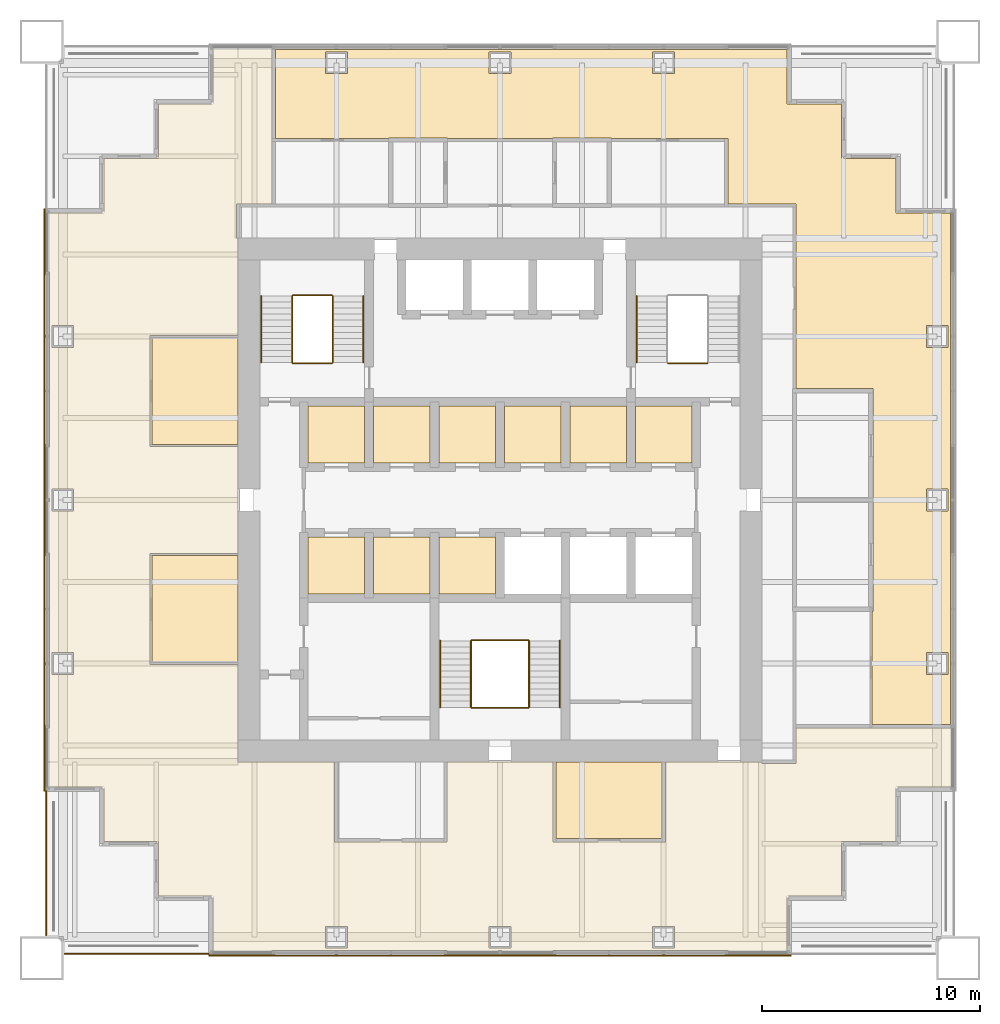
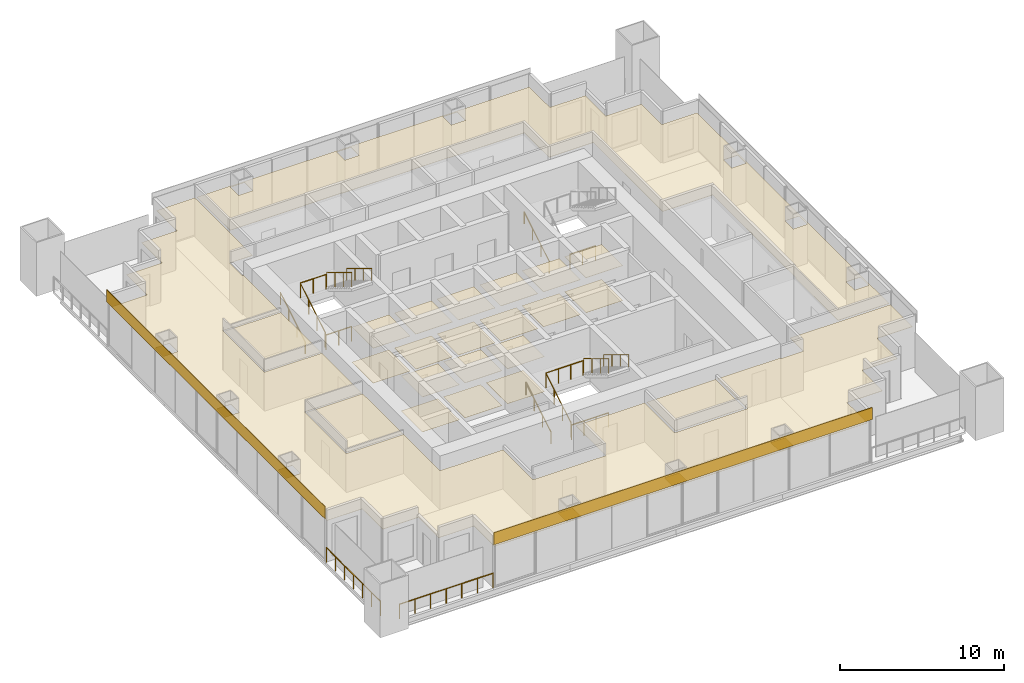
# One storey, part 13 of 14: 25 coverings, 16 railings.
"""IFC4 building model written with IfcOpenShell, lengths in metres."""

from ifc_helpers import new_model, si_unit, direction, frame, origin, origin_2d, place, context, subcontext, project, spatial, polyline, rectangle, circle, outline, extrude, material, layer, layer_set, type_object, element, save


model = new_model("IFC4")

# Units and contexts
model_context = context("Model", 3, precision=1e-05, world=origin(), true_north=direction((0.0, 1.0)))
body_context = subcontext(model_context, "Body", "Model", "MODEL_VIEW")
ifc_project = project(units=[si_unit("LENGTHUNIT", "METRE"), si_unit("AREAUNIT", "SQUARE_METRE"), si_unit("VOLUMEUNIT", "CUBIC_METRE"), si_unit("PLANEANGLEUNIT", "RADIAN"), si_unit("MASSUNIT", "GRAM", prefix="KILO")], contexts=[model_context])

# Site, building, storey
site_placement = place(None, origin())
site = spatial("IfcSite", under=ifc_project, at=site_placement, CompositionType="ELEMENT")
building_placement = place(site_placement, origin())
building = spatial("IfcBuilding", under=site, at=building_placement, Name="Tarangal Relay Tower", CompositionType="ELEMENT")
storey_placement = place(building_placement, frame((0.0, 0.0, 319.89990234375)))
storey = spatial("IfcBuildingStorey", under=building, at=storey_placement, Name="L71", CompositionType="ELEMENT", Elevation=319.89990234375)

# Coverings
ifc_material_1 = material(Name="Anti-static vinyl flooring", Category="plastic")
ifc_layer_1 = layer(ifc_material_1, 0.010009765625)
ifc_layer_set_1 = layer_set([ifc_layer_1], Name="Anti-static vinyl floor")
covering_type_1 = type_object("IfcCoveringType", Name="Anti-static vinyl floor", PredefinedType="FLOORING", material=ifc_layer_set_1)
covering_1_placement = place(storey_placement, origin())
element("IfcCovering", 1, at=covering_1_placement, inside=storey, type_object=covering_type_1, Name="Floor finish FL1 L71-D1", PredefinedType="FLOORING", context=body_context, shape_type="SweptSolid", body=[
    extrude(outline(polyline([(-8.800048828125, 1.699951171875), (-6.199951171875, 1.699951171875), (-6.199951171875, 4.300048828125), (-8.800048828125, 4.300048828125), (-8.800048828125, 1.699951171875)])), origin(), (0.0, 0.0, 1.0), 0.010009765625),
])
covering_2_placement = place(storey_placement, origin())
element("IfcCovering", 2, at=covering_2_placement, inside=storey, type_object=covering_type_1, Name="Floor finish FL1 L71-D2", PredefinedType="FLOORING", context=body_context, shape_type="SweptSolid", body=[
    extrude(outline(polyline([(-5.800048828125, 1.699951171875), (-3.199951171875, 1.699951171875), (-3.199951171875, 4.300048828125), (-5.800048828125, 4.300048828125), (-5.800048828125, 1.699951171875)])), origin(), (0.0, 0.0, 1.0), 0.010009765625),
])
covering_3_placement = place(storey_placement, origin())
element("IfcCovering", 3, at=covering_3_placement, inside=storey, type_object=covering_type_1, Name="Floor finish FL1 L71-D3", PredefinedType="FLOORING", context=body_context, shape_type="SweptSolid", body=[
    extrude(outline(polyline([(-2.800048828125, 1.699951171875), (-0.199951171875, 1.699951171875), (-0.199951171875, 4.300048828125), (-2.800048828125, 4.300048828125), (-2.800048828125, 1.699951171875)])), origin(), (0.0, 0.0, 1.0), 0.010009765625),
])
covering_4_placement = place(storey_placement, origin())
element("IfcCovering", 4, at=covering_4_placement, inside=storey, type_object=covering_type_1, Name="Floor finish FL1 L71-T1", PredefinedType="FLOORING", context=body_context, shape_type="SweptSolid", body=[
    extrude(outline(polyline([(0.199951171875, 1.699951171875), (2.800048828125, 1.699951171875), (2.800048828125, 4.300048828125), (0.199951171875, 4.300048828125), (0.199951171875, 1.699951171875)])), origin(), (0.0, 0.0, 1.0), 0.010009765625),
])
covering_5_placement = place(storey_placement, origin())
element("IfcCovering", 5, at=covering_5_placement, inside=storey, type_object=covering_type_1, Name="Floor finish FL1 L71-T2", PredefinedType="FLOORING", context=body_context, shape_type="SweptSolid", body=[
    extrude(outline(polyline([(3.199951171875, 1.699951171875), (5.800048828125, 1.699951171875), (5.800048828125, 4.300048828125), (3.199951171875, 4.300048828125), (3.199951171875, 1.699951171875)])), origin(), (0.0, 0.0, 1.0), 0.010009765625),
])
covering_6_placement = place(storey_placement, origin())
element("IfcCovering", 6, at=covering_6_placement, inside=storey, type_object=covering_type_1, Name="Floor finish FL1 L71-T3", PredefinedType="FLOORING", context=body_context, shape_type="SweptSolid", body=[
    extrude(outline(polyline([(6.199951171875, 1.699951171875), (8.800048828125, 1.699951171875), (8.800048828125, 4.300048828125), (6.199951171875, 4.300048828125), (6.199951171875, 1.699951171875)])), origin(), (0.0, 0.0, 1.0), 0.010009765625),
])
covering_7_placement = place(storey_placement, origin())
element("IfcCovering", 7, at=covering_7_placement, inside=storey, type_object=covering_type_1, Name="Floor finish FL1 L71-S1", PredefinedType="FLOORING", context=body_context, shape_type="SweptSolid", body=[
    extrude(outline(polyline([(-8.800048828125, -4.300048828125), (-6.199951171875, -4.300048828125), (-6.199951171875, -1.699951171875), (-8.800048828125, -1.699951171875), (-8.800048828125, -4.300048828125)])), origin(), (0.0, 0.0, 1.0), 0.010009765625),
])
covering_8_placement = place(storey_placement, origin())
element("IfcCovering", 8, at=covering_8_placement, inside=storey, type_object=covering_type_1, Name="Floor finish FL1 L71-S2", PredefinedType="FLOORING", context=body_context, shape_type="SweptSolid", body=[
    extrude(outline(polyline([(-5.800048828125, -4.300048828125), (-3.199951171875, -4.300048828125), (-3.199951171875, -1.699951171875), (-5.800048828125, -1.699951171875), (-5.800048828125, -4.300048828125)])), origin(), (0.0, 0.0, 1.0), 0.010009765625),
])
covering_9_placement = place(storey_placement, origin())
element("IfcCovering", 9, at=covering_9_placement, inside=storey, type_object=covering_type_1, Name="Floor finish FL1 L71-S3", PredefinedType="FLOORING", context=body_context, shape_type="SweptSolid", body=[
    extrude(outline(polyline([(-2.800048828125, -4.300048828125), (-0.199951171875, -4.300048828125), (-0.199951171875, -1.699951171875), (-2.800048828125, -1.699951171875), (-2.800048828125, -4.300048828125)])), origin(), (0.0, 0.0, 1.0), 0.010009765625),
])
ifc_material_2 = material(Name="Black anodised aluminium cladding", Category="aluminium")
ifc_layer_2 = layer(ifc_material_2, 0.050048828125)
ifc_layer_set_2 = layer_set([ifc_layer_2], Name="Black metal spandrel band")
covering_type_2 = type_object("IfcCoveringType", Name="Black metal spandrel band", PredefinedType="CLADDING", material=ifc_layer_set_2)
for number, where, z_axis, x_axis, name in (
    (10, (0.0, -20.875, 3.250244140625), (0.0, 0.0, 1.0), (-1.0, 0.0, 0.0), "Spandrel band SB1 S L71"),
    (11, (-20.875, 0.0, 3.250244140625), (0.0, 0.0, 1.0), (0.0, 1.0, 0.0), "Spandrel band SB1 W L71"),
):
    element("IfcCovering", number, at=place(storey_placement, frame(where, z_axis=z_axis, x_axis=x_axis)), inside=storey, type_object=covering_type_2, Name=name, PredefinedType="CLADDING", context=body_context, shape_type="SweptSolid", body=[
        extrude(rectangle(XDim=26.699951171875, YDim=0.050048828125, at=origin_2d()), origin(), (0.0, 0.0, 1.0), 0.89990234375),
    ])

# Railings
ifc_material_3 = material(Name="Steel guard, black finish", Category="steel")
railing_type_1 = type_object("IfcRailingType", Name="Stair guard 1100", PredefinedType="GUARDRAIL", material=ifc_material_3)
railing_1_placement = place(storey_placement, frame((-9.530029296875, 6.300048828125, 0.166748046875)))
element("IfcRailing", 12, at=railing_1_placement, inside=storey, type_object=railing_type_1, Name="Stair ST-A guard GR1 L71 flight 1", PredefinedType="GUARDRAIL", context=body_context, shape_type="SweptSolid", body=[
    extrude(circle(Radius=0.02392578125, at=origin_2d()), frame((0.0, 0.0, 1.076171875), z_axis=(0.0, 0.85685617095, 0.515555527858), x_axis=(-1.0, 0.0, 0.0)), (0.0, 0.0, 1.0), 3.555908203125),
    extrude(circle(Radius=0.02099609375, at=origin_2d()), origin(), (0.0, 0.0, 1.0), 1.052001953125),
    extrude(circle(Radius=0.02099609375, at=origin_2d()), frame((0.0, 1.015625, 0.611083984375)), (0.0, 0.0, 1.0), 1.052001953125),
    extrude(circle(Radius=0.02099609375, at=origin_2d()), frame((0.0, 2.03125, 1.22216796875)), (0.0, 0.0, 1.0), 1.052001953125),
    extrude(circle(Radius=0.02099609375, at=origin_2d()), frame((0.0, 3.046875, 1.833251953125)), (0.0, 0.0, 1.0), 1.052001953125),
])
railing_2_placement = place(storey_placement, frame((-7.669921875, 9.346923828125, 2.166748046875)))
element("IfcRailing", 13, at=railing_2_placement, inside=storey, type_object=railing_type_1, Name="Stair ST-A guard GR1 L71 flight 2", PredefinedType="GUARDRAIL", context=body_context, shape_type="SweptSolid", body=[
    extrude(circle(Radius=0.02392578125, at=origin_2d()), frame((0.0, 0.0, 1.076171875), z_axis=(0.0, -0.85685617095, 0.515555527858), x_axis=(1.0, 0.0, 0.0)), (0.0, 0.0, 1.0), 3.555908203125),
    extrude(circle(Radius=0.02099609375, at=origin_2d()), origin(), (0.0, 0.0, 1.0), 1.052001953125),
    extrude(circle(Radius=0.02099609375, at=origin_2d()), frame((0.0, -1.015625, 0.611083984375)), (0.0, 0.0, 1.0), 1.052001953125),
    extrude(circle(Radius=0.02099609375, at=origin_2d()), frame((0.0, -2.03125, 1.22216796875)), (0.0, 0.0, 1.0), 1.052001953125),
    extrude(circle(Radius=0.02099609375, at=origin_2d()), frame((0.0, -3.046875, 1.833251953125)), (0.0, 0.0, 1.0), 1.052001953125),
])
for number, where, name in (
    (14, (-9.5, 6.27001953125, 0.0), "Stair ST-A landing guard GR1 L71"),
    (15, (-9.5, 9.376953125, 2.0), "Stair ST-A landing guard GR1 L71"),
    (16, (7.699951171875, 6.27001953125, 0.0), "Stair ST-B landing guard GR1 L71"),
):
    element("IfcRailing", number, at=place(storey_placement, frame(where)), inside=storey, type_object=railing_type_1, Name=name, PredefinedType="GUARDRAIL", context=body_context, shape_type="SweptSolid", body=[
        extrude(circle(Radius=0.02392578125, at=origin_2d()), frame((0.0, 0.0, 1.076171875), z_axis=(1.0, 0.0, 0.0), x_axis=(0.0, 1.0, 0.0)), (0.0, 0.0, 1.0), 1.800048828125),
        extrude(circle(Radius=0.02099609375, at=origin_2d()), origin(), (0.0, 0.0, 1.0), 1.052001953125),
        extrude(circle(Radius=0.02099609375, at=origin_2d()), frame((0.89990234375, 0.0, 0.0)), (0.0, 0.0, 1.0), 1.052001953125),
        extrude(circle(Radius=0.02099609375, at=origin_2d()), frame((1.800048828125, 0.0, 0.0)), (0.0, 0.0, 1.0), 1.052001953125),
    ])
railing_3_placement = place(storey_placement, frame((-1.330078125, -9.5, 0.166748046875)))
element("IfcRailing", 17, at=railing_3_placement, inside=storey, type_object=railing_type_1, Name="Stair ST-C guard GR1 L71 flight 1", PredefinedType="GUARDRAIL", context=body_context, shape_type="SweptSolid", body=[
    extrude(circle(Radius=0.02392578125, at=origin_2d()), frame((0.0, 0.0, 1.076171875), z_axis=(0.0, 0.856874418557, 0.515525199018), x_axis=(-1.0, 0.0, 0.0)), (0.0, 0.0, 1.0), 3.55615234375),
    extrude(circle(Radius=0.02099609375, at=origin_2d()), origin(), (0.0, 0.0, 1.0), 1.052001953125),
    extrude(circle(Radius=0.02099609375, at=origin_2d()), frame((0.0, 1.015625, 0.611083984375)), (0.0, 0.0, 1.0), 1.052001953125),
    extrude(circle(Radius=0.02099609375, at=origin_2d()), frame((0.0, 2.031494140625, 1.22216796875)), (0.0, 0.0, 1.0), 1.052001953125),
    extrude(circle(Radius=0.02099609375, at=origin_2d()), frame((0.0, 3.047119140625, 1.833251953125)), (0.0, 0.0, 1.0), 1.052001953125),
])
railing_4_placement = place(storey_placement, frame((1.330078125, -6.452880859375, 2.166748046875)))
element("IfcRailing", 18, at=railing_4_placement, inside=storey, type_object=railing_type_1, Name="Stair ST-C guard GR1 L71 flight 2", PredefinedType="GUARDRAIL", context=body_context, shape_type="SweptSolid", body=[
    extrude(circle(Radius=0.02392578125, at=origin_2d()), frame((0.0, 0.0, 1.076171875), z_axis=(0.0, -0.856874418557, 0.515525199018), x_axis=(1.0, 0.0, 0.0)), (0.0, 0.0, 1.0), 3.55615234375),
    extrude(circle(Radius=0.02099609375, at=origin_2d()), origin(), (0.0, 0.0, 1.0), 1.052001953125),
    extrude(circle(Radius=0.02099609375, at=origin_2d()), frame((0.0, -1.015625, 0.611083984375)), (0.0, 0.0, 1.0), 1.052001953125),
    extrude(circle(Radius=0.02099609375, at=origin_2d()), frame((0.0, -2.031494140625, 1.22216796875)), (0.0, 0.0, 1.0), 1.052001953125),
    extrude(circle(Radius=0.02099609375, at=origin_2d()), frame((0.0, -3.047119140625, 1.833251953125)), (0.0, 0.0, 1.0), 1.052001953125),
])
for number, where, name in (
    (19, (-1.300048828125, -9.530029296875, 0.0), "Stair ST-C landing guard GR1 L71"),
    (20, (-1.300048828125, -6.423095703125, 2.0), "Stair ST-C landing guard GR1 L71"),
):
    element("IfcRailing", number, at=place(storey_placement, frame(where)), inside=storey, type_object=railing_type_1, Name=name, PredefinedType="GUARDRAIL", context=body_context, shape_type="SweptSolid", body=[
        extrude(circle(Radius=0.02392578125, at=origin_2d()), frame((0.0, 0.0, 1.076171875), z_axis=(1.0, 0.0, 0.0), x_axis=(0.0, 1.0, 0.0)), (0.0, 0.0, 1.0), 2.60009765625),
        extrude(circle(Radius=0.02099609375, at=origin_2d()), origin(), (0.0, 0.0, 1.0), 1.052001953125),
        extrude(circle(Radius=0.02099609375, at=origin_2d()), frame((0.86669921875, 0.0, 0.0)), (0.0, 0.0, 1.0), 1.052001953125),
        extrude(circle(Radius=0.02099609375, at=origin_2d()), frame((1.7333984375, 0.0, 0.0)), (0.0, 0.0, 1.0), 1.052001953125),
        extrude(circle(Radius=0.02099609375, at=origin_2d()), frame((2.60009765625, 0.0, 0.0)), (0.0, 0.0, 1.0), 1.052001953125),
    ])
ifc_material_4 = material(Name="Steel handrail, black finish", Category="steel")
railing_type_2 = type_object("IfcRailingType", Name="Stair handrail 900", PredefinedType="HANDRAIL", material=ifc_material_4)
railing_5_placement = place(storey_placement, frame((-10.93994140625, 6.300048828125, 0.166748046875)))
element("IfcRailing", 21, at=railing_5_placement, inside=storey, type_object=railing_type_2, Name="Stair ST-A handrail HR1 L71 flight 1", PredefinedType="HANDRAIL", context=body_context, shape_type="SweptSolid", body=[
    extrude(circle(Radius=0.02392578125, at=origin_2d()), frame((0.0, 0.0, 0.8759765625), z_axis=(0.0, 0.85685617095, 0.515555527858), x_axis=(-1.0, 0.0, 0.0)), (0.0, 0.0, 1.0), 3.555908203125),
    extrude(circle(Radius=0.02099609375, at=origin_2d()), origin(), (0.0, 0.0, 1.0), 0.851806640625),
    extrude(circle(Radius=0.02099609375, at=origin_2d()), frame((0.0, 1.015625, 0.611083984375)), (0.0, 0.0, 1.0), 0.851806640625),
    extrude(circle(Radius=0.02099609375, at=origin_2d()), frame((0.0, 2.03125, 1.22216796875)), (0.0, 0.0, 1.0), 0.851806640625),
    extrude(circle(Radius=0.02099609375, at=origin_2d()), frame((0.0, 3.046875, 1.833251953125)), (0.0, 0.0, 1.0), 0.851806640625),
])
railing_6_placement = place(storey_placement, frame((-6.260009765625, 9.346923828125, 2.166748046875)))
element("IfcRailing", 22, at=railing_6_placement, inside=storey, type_object=railing_type_2, Name="Stair ST-A handrail HR1 L71 flight 2", PredefinedType="HANDRAIL", context=body_context, shape_type="SweptSolid", body=[
    extrude(circle(Radius=0.02392578125, at=origin_2d()), frame((0.0, 0.0, 0.8759765625), z_axis=(0.0, -0.85685617095, 0.515555527858), x_axis=(1.0, 0.0, 0.0)), (0.0, 0.0, 1.0), 3.555908203125),
    extrude(circle(Radius=0.02099609375, at=origin_2d()), origin(), (0.0, 0.0, 1.0), 0.851806640625),
    extrude(circle(Radius=0.02099609375, at=origin_2d()), frame((0.0, -1.015625, 0.611083984375)), (0.0, 0.0, 1.0), 0.851806640625),
    extrude(circle(Radius=0.02099609375, at=origin_2d()), frame((0.0, -2.03125, 1.22216796875)), (0.0, 0.0, 1.0), 0.851806640625),
    extrude(circle(Radius=0.02099609375, at=origin_2d()), frame((0.0, -3.046875, 1.833251953125)), (0.0, 0.0, 1.0), 0.851806640625),
])
railing_7_placement = place(storey_placement, frame((6.260009765625, 6.300048828125, 0.166748046875)))
element("IfcRailing", 23, at=railing_7_placement, inside=storey, type_object=railing_type_2, Name="Stair ST-B handrail HR1 L71 flight 1", PredefinedType="HANDRAIL", context=body_context, shape_type="SweptSolid", body=[
    extrude(circle(Radius=0.02392578125, at=origin_2d()), frame((0.0, 0.0, 0.8759765625), z_axis=(0.0, 0.85685617095, 0.515555527858), x_axis=(-1.0, 0.0, 0.0)), (0.0, 0.0, 1.0), 3.555908203125),
    extrude(circle(Radius=0.02099609375, at=origin_2d()), origin(), (0.0, 0.0, 1.0), 0.851806640625),
    extrude(circle(Radius=0.02099609375, at=origin_2d()), frame((0.0, 1.015625, 0.611083984375)), (0.0, 0.0, 1.0), 0.851806640625),
    extrude(circle(Radius=0.02099609375, at=origin_2d()), frame((0.0, 2.03125, 1.22216796875)), (0.0, 0.0, 1.0), 0.851806640625),
    extrude(circle(Radius=0.02099609375, at=origin_2d()), frame((0.0, 3.046875, 1.833251953125)), (0.0, 0.0, 1.0), 0.851806640625),
])
railing_8_placement = place(storey_placement, frame((-2.739990234375, -9.5, 0.166748046875)))
element("IfcRailing", 24, at=railing_8_placement, inside=storey, type_object=railing_type_2, Name="Stair ST-C handrail HR1 L71 flight 1", PredefinedType="HANDRAIL", context=body_context, shape_type="SweptSolid", body=[
    extrude(circle(Radius=0.02392578125, at=origin_2d()), frame((0.0, 0.0, 0.8759765625), z_axis=(0.0, 0.856874418557, 0.515525199018), x_axis=(-1.0, 0.0, 0.0)), (0.0, 0.0, 1.0), 3.55615234375),
    extrude(circle(Radius=0.02099609375, at=origin_2d()), origin(), (0.0, 0.0, 1.0), 0.851806640625),
    extrude(circle(Radius=0.02099609375, at=origin_2d()), frame((0.0, 1.015625, 0.611083984375)), (0.0, 0.0, 1.0), 0.851806640625),
    extrude(circle(Radius=0.02099609375, at=origin_2d()), frame((0.0, 2.031494140625, 1.22216796875)), (0.0, 0.0, 1.0), 0.851806640625),
    extrude(circle(Radius=0.02099609375, at=origin_2d()), frame((0.0, 3.047119140625, 1.833251953125)), (0.0, 0.0, 1.0), 0.851806640625),
])
railing_9_placement = place(storey_placement, frame((2.739990234375, -6.452880859375, 2.166748046875)))
element("IfcRailing", 25, at=railing_9_placement, inside=storey, type_object=railing_type_2, Name="Stair ST-C handrail HR1 L71 flight 2", PredefinedType="HANDRAIL", context=body_context, shape_type="SweptSolid", body=[
    extrude(circle(Radius=0.02392578125, at=origin_2d()), frame((0.0, 0.0, 0.8759765625), z_axis=(0.0, -0.856874418557, 0.515525199018), x_axis=(1.0, 0.0, 0.0)), (0.0, 0.0, 1.0), 3.55615234375),
    extrude(circle(Radius=0.02099609375, at=origin_2d()), origin(), (0.0, 0.0, 1.0), 0.851806640625),
    extrude(circle(Radius=0.02099609375, at=origin_2d()), frame((0.0, -1.015625, 0.611083984375)), (0.0, 0.0, 1.0), 0.851806640625),
    extrude(circle(Radius=0.02099609375, at=origin_2d()), frame((0.0, -2.031494140625, 1.22216796875)), (0.0, 0.0, 1.0), 0.851806640625),
    extrude(circle(Radius=0.02099609375, at=origin_2d()), frame((0.0, -3.047119140625, 1.833251953125)), (0.0, 0.0, 1.0), 0.851806640625),
])

# Coverings
ifc_material_5 = material(Name="Mineral fibre ceiling tiles", Category="gypsum")
ifc_layer_3 = layer(ifc_material_5, 0.02001953125)
ifc_layer_set_3 = layer_set([ifc_layer_3], Name="Suspended ceiling")
covering_type_3 = type_object("IfcCoveringType", Name="Suspended ceiling", PredefinedType="CEILING", material=ifc_layer_set_3)
covering_10_placement = place(storey_placement, frame((0.0, 0.0, 2.60009765625)))
element("IfcCovering", 26, at=covering_10_placement, inside=storey, type_object=covering_type_3, Name="Suspended ceiling CL1 L71-D1", PredefinedType="CEILING", context=body_context, shape_type="SweptSolid", body=[
    extrude(outline(polyline([(-8.800048828125, 1.699951171875), (-6.199951171875, 1.699951171875), (-6.199951171875, 4.300048828125), (-8.800048828125, 4.300048828125), (-8.800048828125, 1.699951171875)])), origin(), (0.0, 0.0, 1.0), 0.02001953125),
])
covering_11_placement = place(storey_placement, frame((0.0, 0.0, 2.60009765625)))
element("IfcCovering", 27, at=covering_11_placement, inside=storey, type_object=covering_type_3, Name="Suspended ceiling CL1 L71-D2", PredefinedType="CEILING", context=body_context, shape_type="SweptSolid", body=[
    extrude(outline(polyline([(-5.800048828125, 1.699951171875), (-3.199951171875, 1.699951171875), (-3.199951171875, 4.300048828125), (-5.800048828125, 4.300048828125), (-5.800048828125, 1.699951171875)])), origin(), (0.0, 0.0, 1.0), 0.02001953125),
])
covering_12_placement = place(storey_placement, frame((0.0, 0.0, 2.60009765625)))
element("IfcCovering", 28, at=covering_12_placement, inside=storey, type_object=covering_type_3, Name="Suspended ceiling CL1 L71-D3", PredefinedType="CEILING", context=body_context, shape_type="SweptSolid", body=[
    extrude(outline(polyline([(-2.800048828125, 1.699951171875), (-0.199951171875, 1.699951171875), (-0.199951171875, 4.300048828125), (-2.800048828125, 4.300048828125), (-2.800048828125, 1.699951171875)])), origin(), (0.0, 0.0, 1.0), 0.02001953125),
])
covering_13_placement = place(storey_placement, frame((0.0, 0.0, 2.60009765625)))
element("IfcCovering", 29, at=covering_13_placement, inside=storey, type_object=covering_type_3, Name="Suspended ceiling CL1 L71-T1", PredefinedType="CEILING", context=body_context, shape_type="SweptSolid", body=[
    extrude(outline(polyline([(0.199951171875, 1.699951171875), (2.800048828125, 1.699951171875), (2.800048828125, 4.300048828125), (0.199951171875, 4.300048828125), (0.199951171875, 1.699951171875)])), origin(), (0.0, 0.0, 1.0), 0.02001953125),
])
covering_14_placement = place(storey_placement, frame((0.0, 0.0, 2.60009765625)))
element("IfcCovering", 30, at=covering_14_placement, inside=storey, type_object=covering_type_3, Name="Suspended ceiling CL1 L71-T2", PredefinedType="CEILING", context=body_context, shape_type="SweptSolid", body=[
    extrude(outline(polyline([(3.199951171875, 1.699951171875), (5.800048828125, 1.699951171875), (5.800048828125, 4.300048828125), (3.199951171875, 4.300048828125), (3.199951171875, 1.699951171875)])), origin(), (0.0, 0.0, 1.0), 0.02001953125),
])
covering_15_placement = place(storey_placement, frame((0.0, 0.0, 2.60009765625)))
element("IfcCovering", 31, at=covering_15_placement, inside=storey, type_object=covering_type_3, Name="Suspended ceiling CL1 L71-T3", PredefinedType="CEILING", context=body_context, shape_type="SweptSolid", body=[
    extrude(outline(polyline([(6.199951171875, 1.699951171875), (8.800048828125, 1.699951171875), (8.800048828125, 4.300048828125), (6.199951171875, 4.300048828125), (6.199951171875, 1.699951171875)])), origin(), (0.0, 0.0, 1.0), 0.02001953125),
])
covering_16_placement = place(storey_placement, frame((0.0, 0.0, 2.60009765625)))
element("IfcCovering", 32, at=covering_16_placement, inside=storey, type_object=covering_type_3, Name="Suspended ceiling CL1 L71-S1", PredefinedType="CEILING", context=body_context, shape_type="SweptSolid", body=[
    extrude(outline(polyline([(-8.800048828125, -4.300048828125), (-6.199951171875, -4.300048828125), (-6.199951171875, -1.699951171875), (-8.800048828125, -1.699951171875), (-8.800048828125, -4.300048828125)])), origin(), (0.0, 0.0, 1.0), 0.02001953125),
])
covering_17_placement = place(storey_placement, frame((0.0, 0.0, 2.60009765625)))
element("IfcCovering", 33, at=covering_17_placement, inside=storey, type_object=covering_type_3, Name="Suspended ceiling CL1 L71-S2", PredefinedType="CEILING", context=body_context, shape_type="SweptSolid", body=[
    extrude(outline(polyline([(-5.800048828125, -4.300048828125), (-3.199951171875, -4.300048828125), (-3.199951171875, -1.699951171875), (-5.800048828125, -1.699951171875), (-5.800048828125, -4.300048828125)])), origin(), (0.0, 0.0, 1.0), 0.02001953125),
])
covering_18_placement = place(storey_placement, frame((0.0, 0.0, 2.60009765625)))
element("IfcCovering", 34, at=covering_18_placement, inside=storey, type_object=covering_type_3, Name="Suspended ceiling CL1 L71-S3", PredefinedType="CEILING", context=body_context, shape_type="SweptSolid", body=[
    extrude(outline(polyline([(-2.800048828125, -4.300048828125), (-0.199951171875, -4.300048828125), (-0.199951171875, -1.699951171875), (-2.800048828125, -1.699951171875), (-2.800048828125, -4.300048828125)])), origin(), (0.0, 0.0, 1.0), 0.02001953125),
])
covering_19_placement = place(storey_placement, frame((0.0, 0.0, 2.900146484375)))
element("IfcCovering", 35, at=covering_19_placement, inside=storey, type_object=covering_type_3, Name="Suspended ceiling CL1 L71-10", PredefinedType="CEILING", context=body_context, shape_type="SweptSolid", body=[
    extrude(outline(polyline([(2.574951171875, -12.0), (2.574951171875, -15.52490234375), (7.425048828125, -15.52490234375), (7.425048828125, -12.0), (2.574951171875, -12.0)])), origin(), (0.0, 0.0, 1.0), 0.02001953125),
])
covering_20_placement = place(storey_placement, frame((0.0, 0.0, 2.900146484375)))
element("IfcCovering", 36, at=covering_20_placement, inside=storey, type_object=covering_type_3, Name="Suspended ceiling CL1 L71-12", PredefinedType="CEILING", context=body_context, shape_type="SweptSolid", body=[
    extrude(outline(polyline([(-12.0, -2.550048828125), (-15.949951171875, -2.550048828125), (-15.949951171875, -7.449951171875), (-12.0, -7.449951171875), (-12.0, -2.550048828125)])), origin(), (0.0, 0.0, 1.0), 0.02001953125),
])
covering_21_placement = place(storey_placement, frame((0.0, 0.0, 2.900146484375)))
element("IfcCovering", 37, at=covering_21_placement, inside=storey, type_object=covering_type_3, Name="Suspended ceiling CL1 L71-13", PredefinedType="CEILING", context=body_context, shape_type="SweptSolid", body=[
    extrude(outline(polyline([(-12.0, 7.449951171875), (-15.949951171875, 7.449951171875), (-15.949951171875, 2.550048828125), (-12.0, 2.550048828125), (-12.0, 7.449951171875)])), origin(), (0.0, 0.0, 1.0), 0.02001953125),
])
covering_22_placement = place(storey_placement, frame((0.0, 0.0, 2.900146484375)))
element("IfcCovering", 38, at=covering_22_placement, inside=storey, type_object=covering_type_3, Name="Suspended ceiling CL1 L71-14", PredefinedType="CEILING", context=body_context, shape_type="SweptSolid", body=[
    extrude(outline(polyline([(13.14990234375, 20.64990234375), (-10.300048828125, 20.64990234375), (-10.300048828125, 16.574951171875), (-5.10009765625, 16.574951171875), (-5.10009765625, 16.60009765625), (-2.39990234375, 16.60009765625), (-2.39990234375, 16.574951171875), (2.39990234375, 16.574951171875), (2.39990234375, 16.60009765625), (5.10009765625, 16.60009765625), (5.10009765625, 16.574951171875), (10.449951171875, 16.574951171875), (10.449951171875, 13.574951171875), (13.574951171875, 13.574951171875), (13.574951171875, 5.10009765625), (17.10009765625, 5.10009765625), (17.10009765625, -5.10009765625), (17.050048828125, -5.10009765625), (17.050048828125, -10.300048828125), (20.64990234375, -10.300048828125), (20.64990234375, 13.14990234375), (18.14990234375, 13.14990234375), (18.14990234375, 15.64990234375), (15.64990234375, 15.64990234375), (15.64990234375, 18.14990234375), (13.14990234375, 18.14990234375), (13.14990234375, 20.64990234375)]), holes=[polyline([(19.5400390625, -8.0), (20.5400390625, -8.0), (20.5400390625, -7.0), (19.5400390625, -7.0), (19.5400390625, -8.0)]), polyline([(19.5400390625, 0.5), (19.5400390625, -0.5), (20.5400390625, -0.5), (20.5400390625, 0.5), (19.5400390625, 0.5)]), polyline([(19.5400390625, 8.0), (19.5400390625, 7.0), (20.5400390625, 7.0), (20.5400390625, 8.0), (19.5400390625, 8.0)]), polyline([(-8.0, 19.5400390625), (-7.0, 19.5400390625), (-7.0, 20.5400390625), (-8.0, 20.5400390625), (-8.0, 19.5400390625)]), polyline([(-0.5, 20.5400390625), (-0.5, 19.5400390625), (0.5, 19.5400390625), (0.5, 20.5400390625), (-0.5, 20.5400390625)]), polyline([(7.0, 20.5400390625), (7.0, 19.5400390625), (8.0, 19.5400390625), (8.0, 20.5400390625), (7.0, 20.5400390625)])]), origin(), (0.0, 0.0, 1.0), 0.02001953125),
])
covering_23_placement = place(storey_placement, frame((0.0, 0.0, 2.900146484375)))
element("IfcCovering", 39, at=covering_23_placement, inside=storey, type_object=covering_type_3, Name="Suspended ceiling CL1 L71-15", PredefinedType="CEILING", context=body_context, shape_type="SweptSolid", body=[
    extrude(outline(polyline([(-12.0, 2.449951171875), (-16.050048828125, 2.449951171875), (-16.050048828125, 7.550048828125), (-12.0, 7.550048828125), (-12.0, 12.0), (-12.074951171875, 12.0), (-12.074951171875, 13.574951171875), (-10.449951171875, 13.574951171875), (-10.449951171875, 20.64990234375), (-13.14990234375, 20.64990234375), (-13.14990234375, 18.14990234375), (-15.64990234375, 18.14990234375), (-15.64990234375, 15.64990234375), (-18.14990234375, 15.64990234375), (-18.14990234375, 13.14990234375), (-20.64990234375, 13.14990234375), (-20.64990234375, -13.14990234375), (-18.14990234375, -13.14990234375), (-18.14990234375, -15.64990234375), (-15.64990234375, -15.64990234375), (-15.64990234375, -18.14990234375), (-13.14990234375, -18.14990234375), (-13.14990234375, -20.64990234375), (13.14990234375, -20.64990234375), (13.14990234375, -18.14990234375), (15.64990234375, -18.14990234375), (15.64990234375, -15.64990234375), (18.14990234375, -15.64990234375), (18.14990234375, -13.14990234375), (20.64990234375, -13.14990234375), (20.64990234375, -10.449951171875), (13.574951171875, -10.449951171875), (13.574951171875, -12.074951171875), (12.0, -12.074951171875), (12.0, -12.0), (7.574951171875, -12.0), (7.574951171875, -15.675048828125), (2.425048828125, -15.675048828125), (2.425048828125, -12.0), (-2.425048828125, -12.0), (-2.425048828125, -15.675048828125), (-7.574951171875, -15.675048828125), (-7.574951171875, -12.0), (-12.0, -12.0), (-12.0, -7.550048828125), (-16.050048828125, -7.550048828125), (-16.050048828125, -2.449951171875), (-12.0, -2.449951171875), (-12.0, 2.449951171875)]), holes=[polyline([(-8.0, -20.5400390625), (-7.0, -20.5400390625), (-7.0, -19.5400390625), (-8.0, -19.5400390625), (-8.0, -20.5400390625)]), polyline([(-0.5, -19.5400390625), (-0.5, -20.5400390625), (0.5, -20.5400390625), (0.5, -19.5400390625), (-0.5, -19.5400390625)]), polyline([(7.0, -19.5400390625), (7.0, -20.5400390625), (8.0, -20.5400390625), (8.0, -19.5400390625), (7.0, -19.5400390625)]), polyline([(-20.5400390625, -8.0), (-19.5400390625, -8.0), (-19.5400390625, -7.0), (-20.5400390625, -7.0), (-20.5400390625, -8.0)]), polyline([(-20.5400390625, 0.5), (-20.5400390625, -0.5), (-19.5400390625, -0.5), (-19.5400390625, 0.5), (-20.5400390625, 0.5)]), polyline([(-20.5400390625, 8.0), (-20.5400390625, 7.0), (-19.5400390625, 7.0), (-19.5400390625, 8.0), (-20.5400390625, 8.0)])]), origin(), (0.0, 0.0, 1.0), 0.02001953125),
])

# Railings
ifc_material_6 = material(Name="Black steel guard with glass infill", Category="steel")
railing_type_3 = type_object("IfcRailingType", Name="Terrace guard 1100", PredefinedType="GUARDRAIL", material=ifc_material_6)
railing_10_placement = place(storey_placement, frame((-13.35009765625, -20.800048828125, 0.0)))
element("IfcRailing", 40, at=railing_10_placement, inside=storey, type_object=railing_type_3, Name="Terrace guard GR2 SW L71", PredefinedType="GUARDRAIL", context=body_context, shape_type="SweptSolid", body=[
    extrude(circle(Radius=0.02392578125, at=origin_2d()), frame((0.0, 0.0, 1.076171875), z_axis=(-1.0, 0.0, 0.0), x_axis=(0.0, -1.0, 0.0)), (0.0, 0.0, 1.0), 6.599853515625),
    extrude(circle(Radius=0.02099609375, at=origin_2d()), origin(), (0.0, 0.0, 1.0), 1.052001953125),
    extrude(circle(Radius=0.02099609375, at=origin_2d()), frame((-1.10009765625, 0.0, 0.0)), (0.0, 0.0, 1.0), 1.052001953125),
    extrude(circle(Radius=0.02099609375, at=origin_2d()), frame((-2.199951171875, 0.0, 0.0)), (0.0, 0.0, 1.0), 1.052001953125),
    extrude(circle(Radius=0.02099609375, at=origin_2d()), frame((-3.2998046875, 0.0, 0.0)), (0.0, 0.0, 1.0), 1.052001953125),
    extrude(circle(Radius=0.02099609375, at=origin_2d()), frame((-4.39990234375, 0.0, 0.0)), (0.0, 0.0, 1.0), 1.052001953125),
    extrude(circle(Radius=0.02099609375, at=origin_2d()), frame((-5.5, 0.0, 0.0)), (0.0, 0.0, 1.0), 1.052001953125),
    extrude(circle(Radius=0.02099609375, at=origin_2d()), frame((-6.599853515625, 0.0, 0.0)), (0.0, 0.0, 1.0), 1.052001953125),
])
railing_11_placement = place(storey_placement, frame((-20.800048828125, -19.949951171875, 0.0)))
element("IfcRailing", 41, at=railing_11_placement, inside=storey, type_object=railing_type_3, Name="Terrace guard GR2 SW L71", PredefinedType="GUARDRAIL", context=body_context, shape_type="SweptSolid", body=[
    extrude(circle(Radius=0.02392578125, at=origin_2d()), frame((0.0, 0.0, 1.076171875), z_axis=(0.0, 1.0, 0.0), x_axis=(-1.0, 0.0, 0.0)), (0.0, 0.0, 1.0), 6.599853515625),
    extrude(circle(Radius=0.02099609375, at=origin_2d()), origin(), (0.0, 0.0, 1.0), 1.052001953125),
    extrude(circle(Radius=0.02099609375, at=origin_2d()), frame((0.0, 1.10009765625, 0.0)), (0.0, 0.0, 1.0), 1.052001953125),
    extrude(circle(Radius=0.02099609375, at=origin_2d()), frame((0.0, 2.199951171875, 0.0)), (0.0, 0.0, 1.0), 1.052001953125),
    extrude(circle(Radius=0.02099609375, at=origin_2d()), frame((0.0, 3.2998046875, 0.0)), (0.0, 0.0, 1.0), 1.052001953125),
    extrude(circle(Radius=0.02099609375, at=origin_2d()), frame((0.0, 4.39990234375, 0.0)), (0.0, 0.0, 1.0), 1.052001953125),
    extrude(circle(Radius=0.02099609375, at=origin_2d()), frame((0.0, 5.5, 0.0)), (0.0, 0.0, 1.0), 1.052001953125),
    extrude(circle(Radius=0.02099609375, at=origin_2d()), frame((0.0, 6.599853515625, 0.0)), (0.0, 0.0, 1.0), 1.052001953125),
])

save(model, "model.ifc")
